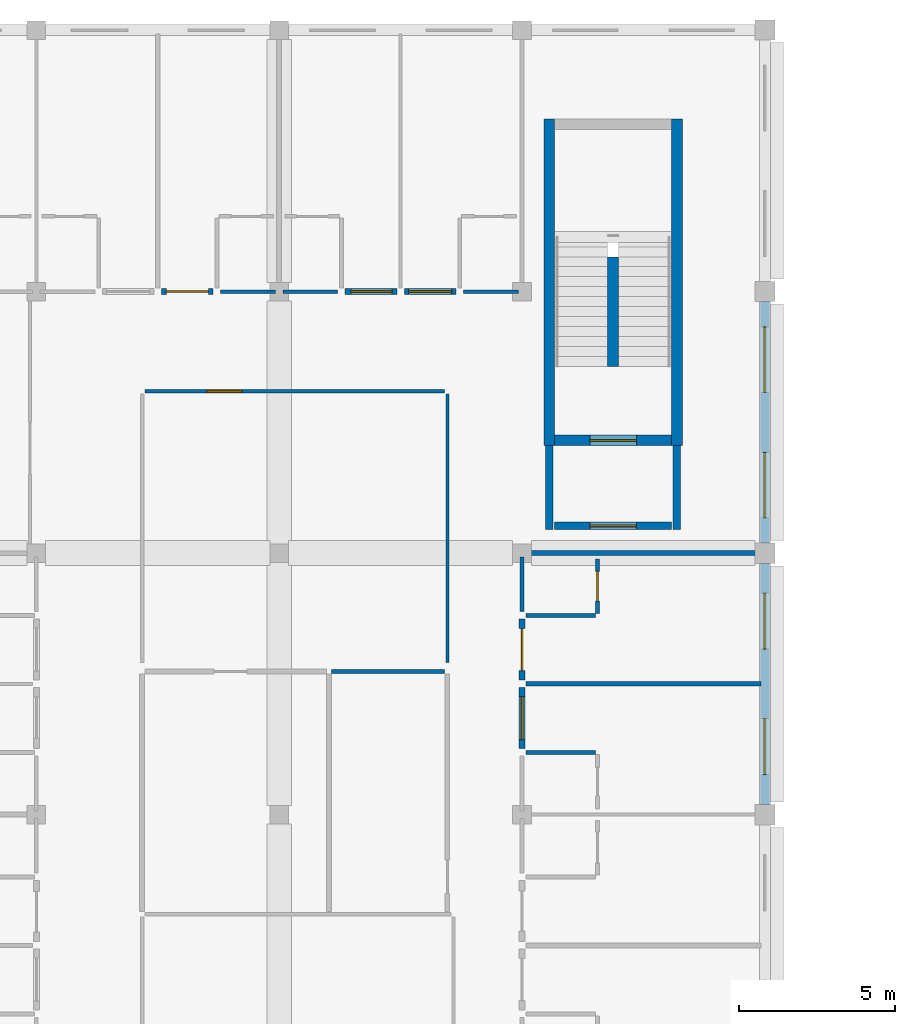
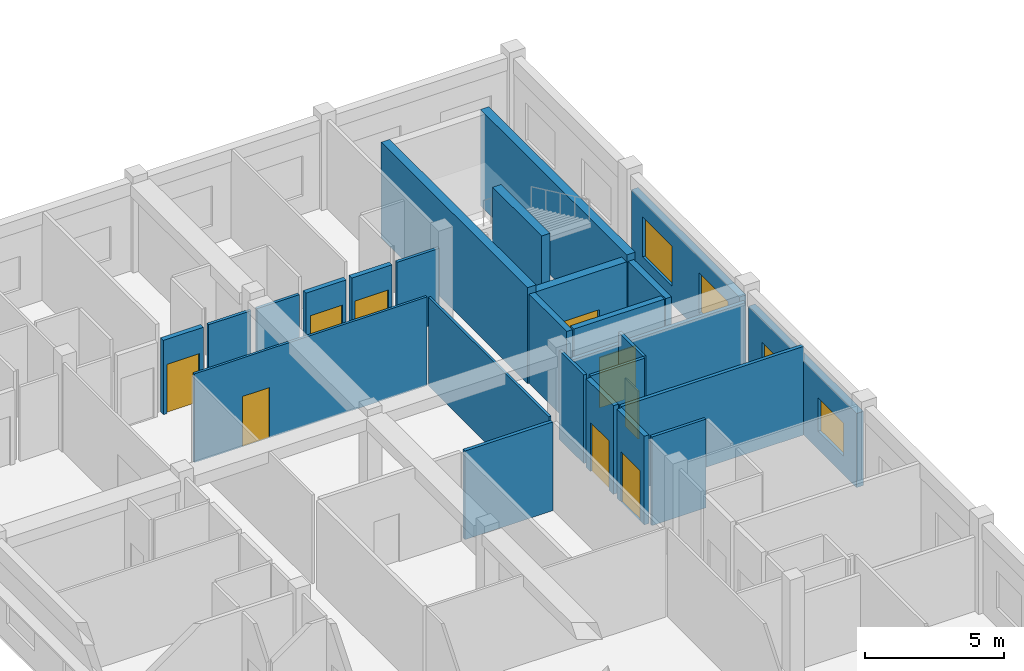
# One storey, part 17 of 32: 26 walls, 9 doors, 4 windows, 13 openings.
"""IFC4 building model written with IfcOpenShell, lengths in metres."""

import ifcopenshell
import ifcopenshell.guid

model = None  # the IFC model being written
_history = None  # IfcOwnerHistory: only IFC2X3 demands one
_inside = {}  # id of a spatial element -> (the spatial element, [elements in it])
_under = {}  # id of a project, library or spatial element -> (it, [spatial elements below it])
_declared = {}  # id of a project -> (the project, [libraries it declares])
_typed = {}  # id of a type object -> (the type object, [elements of that type])
_made_of = {}  # id of a material, layer set ... -> (it, [elements and type objects made of it])


def new_model(schema):
    """Start an empty IFC model of exactly this schema.

    Asked for "IFC4X3", IfcOpenShell would pick the latest addendum, in which some entities
    have other attributes; the version numbers below select the first issue.
    IFC2X3 requires an IfcOwnerHistory on every rooted entity: one is made here for all.
    """
    global model, _history
    if schema == "IFC4X3":
        model = ifcopenshell.file(schema_version=(4, 3, 0, 0))
    else:
        model = ifcopenshell.file(schema=schema)
    _inside.clear()
    _under.clear()
    _declared.clear()
    _typed.clear()
    _made_of.clear()
    _history = None
    if model.schema == "IFC2X3":
        org = make("IfcOrganization", Name="unknown")
        user = make(
            "IfcPersonAndOrganization",
            ThePerson=make("IfcPerson", FamilyName="unknown"),
            TheOrganization=org,
        )
        app = make(
            "IfcApplication",
            ApplicationDeveloper=org,
            Version="unknown",
            ApplicationFullName="unknown",
            ApplicationIdentifier="unknown",
        )
        _history = make(
            "IfcOwnerHistory",
            OwningUser=user,
            OwningApplication=app,
            ChangeAction="ADDED",
            CreationDate=0,
        )
    return model


def make(cls, **values):
    """One entity of the class cls with the attributes given. An attribute that is None is left unset."""
    return model.create_entity(
        cls, **{name: value for name, value in values.items() if value is not None}
    )


def rooted(cls, **values):
    """An entity with a GlobalId (a new one), such as an element, a storey or a relation."""
    return make(cls, GlobalId=ifcopenshell.guid.new(), OwnerHistory=_history, **values)


def si_unit(unit_type, name, prefix=None):
    """IfcSIUnit, for example si_unit("LENGTHUNIT", "METRE", prefix="MILLI")."""
    return make("IfcSIUnit", UnitType=unit_type, Prefix=prefix, Name=name)


def assignment(units):
    """IfcUnitAssignment: the units of a project."""
    return None if units is None else make("IfcUnitAssignment", Units=units)


def point(xyz):
    """IfcCartesianPoint."""
    return None if xyz is None else make("IfcCartesianPoint", Coordinates=xyz)


def direction(xyz):
    """IfcDirection."""
    return None if xyz is None else make("IfcDirection", DirectionRatios=xyz)


def frame(location, z_axis=None, x_axis=None):
    """IfcAxis2Placement3D, a coordinate frame: its origin and axes. An axis left out is left unset."""
    return make(
        "IfcAxis2Placement3D",
        Location=point(location),
        Axis=direction(z_axis),
        RefDirection=direction(x_axis),
    )


def frame_2d(location, x_axis=None):
    """IfcAxis2Placement2D, a coordinate frame in the plane: its origin and x axis."""
    return make(
        "IfcAxis2Placement2D", Location=point(location), RefDirection=direction(x_axis)
    )


def origin():
    """The frame at (0, 0, 0) with its axes left unset."""
    return frame((0.0, 0.0, 0.0))


def place(relative_to, where):
    """IfcLocalPlacement: puts the frame where relative to a parent placement (None: the world)."""
    return make(
        "IfcLocalPlacement", PlacementRelTo=relative_to, RelativePlacement=where
    )


def context(
    kind, dimensions, precision=None, world=None, true_north=None, identifier=None
):
    """IfcGeometricRepresentationContext, for example the 3D "Model" context."""
    return make(
        "IfcGeometricRepresentationContext",
        ContextIdentifier=identifier,
        ContextType=kind,
        CoordinateSpaceDimension=dimensions,
        Precision=precision,
        WorldCoordinateSystem=world,
        TrueNorth=true_north,
    )


def subcontext(parent, identifier, kind, view, scale=None):
    """IfcGeometricRepresentationSubContext, for example "Body" below "Model"."""
    return make(
        "IfcGeometricRepresentationSubContext",
        ContextIdentifier=identifier,
        ContextType=kind,
        ParentContext=parent,
        TargetScale=scale,
        TargetView=view,
    )


def project(units=None, contexts=None):
    """IfcProject with its units and contexts."""
    return rooted(
        "IfcProject",
        Name="project",
        RepresentationContexts=contexts,
        UnitsInContext=assignment(units),
    )


def spatial(cls, under=None, at=None, **own):
    """A site, building, storey or space (cls), placed at a placement, below another one or the project."""
    s = rooted(cls, ObjectPlacement=at, **own)
    if under is not None:
        _under.setdefault(under.id(), (under, []))[1].append(s)
    return s


def profile(cls, at=None, kind="AREA", **sizes):
    """A parametric profile (cls). Its sizes go by their IFC names, for example OverallWidth=200.0."""
    return make(cls, ProfileType=kind, Position=at, **sizes)


def rectangle(**sizes):
    """IfcRectangleProfileDef."""
    return profile("IfcRectangleProfileDef", **sizes)


def extrude(swept, where, along, depth):
    """IfcExtrudedAreaSolid: the profile swept, set in the frame where, extruded along a direction by depth."""
    return make(
        "IfcExtrudedAreaSolid",
        SweptArea=swept,
        Position=where,
        ExtrudedDirection=direction(along),
        Depth=depth,
    )


def shape(context_of_items, identifier, shape_type, items):
    """IfcShapeRepresentation: the items that make up one representation, for example the "Body"."""
    return make(
        "IfcShapeRepresentation",
        ContextOfItems=context_of_items,
        RepresentationIdentifier=identifier,
        RepresentationType=shape_type,
        Items=items,
    )


def material(Name=None, Category=None):
    """IfcMaterial."""
    return make("IfcMaterial", Name=Name, Category=Category)


def layer(
    of_material, thickness, ventilated=None, Name=None, Category=None, Priority=None
):
    """IfcMaterialLayer: one layer of a wall or slab, of a material (None: an air gap)."""
    return make(
        "IfcMaterialLayer",
        Material=of_material,
        LayerThickness=thickness,
        IsVentilated=ventilated,
        Name=Name,
        Category=Category,
        Priority=Priority,
    )


def layer_set(layers, Name=None):
    """IfcMaterialLayerSet."""
    return make("IfcMaterialLayerSet", MaterialLayers=layers, LayerSetName=Name)


def made_of(thing, what):
    """Note that an element or type object is made of a material, layer set ...; save() writes the relation."""
    if what is not None:
        _made_of.setdefault(what.id(), (what, []))[1].append(thing)
    return thing


def type_object(cls, material=None, **own):
    """A type object (cls), such as IfcWallType, which elements share."""
    return made_of(rooted(cls, **own), material)


def element(
    cls,
    number,
    at=None,
    inside=None,
    cuts=None,
    type_object=None,
    material=None,
    context=None,
    identifier="Body",
    shape_type=None,
    held_by="IfcProductDefinitionShape",
    body=None,
    shapes=None,
    **own,
):
    """One element of the class cls, such as IfcWall. Its Tag is "e" and its number.

    at: its placement. inside: the storey or other place that contains it. cuts: it is an
    opening in that element (IfcRelVoidsElement). A single representation is given by context,
    identifier, shape_type and body (its items); several are given by shapes. held_by: the class
    of the entity that holds the representations. save() writes the other relations.
    """
    e = rooted(cls, Tag="e%d" % number, ObjectPlacement=at, **own)
    if body is not None:
        shapes = [shape(context, identifier, shape_type, body)]
    if shapes is not None:
        e.Representation = make(held_by, Representations=shapes)
    if inside is not None:
        _inside.setdefault(inside.id(), (inside, []))[1].append(e)
    if cuts is not None:
        rooted(
            "IfcRelVoidsElement", RelatingBuildingElement=cuts, RelatedOpeningElement=e
        )
    if type_object is not None:
        _typed.setdefault(type_object.id(), (type_object, []))[1].append(e)
    return made_of(e, material)


def fill(opening, filler):
    """IfcRelFillsElement: the door or window that sits in an opening."""
    return rooted(
        "IfcRelFillsElement",
        RelatingOpeningElement=opening,
        RelatedBuildingElement=filler,
    )


def aggregate(whole, parts):
    """IfcRelAggregates: a whole, such as a stair, and the parts it consists of."""
    return rooted("IfcRelAggregates", RelatingObject=whole, RelatedObjects=parts)


def save(model, path):
    """Write the relations noted so far, then the file.

    IfcRelAggregates (storeys below a building ...), IfcRelContainedInSpatialStructure (elements
    in a storey), IfcRelDefinesByType, IfcRelAssociatesMaterial and IfcRelDeclares: one each for
    every whole, place, type object, material and project.
    """
    for whole, parts in _under.values():
        aggregate(whole, parts)
    for where, things in _inside.values():
        rooted(
            "IfcRelContainedInSpatialStructure",
            RelatedElements=things,
            RelatingStructure=where,
        )
    for kind, things in _typed.values():
        rooted("IfcRelDefinesByType", RelatedObjects=things, RelatingType=kind)
    for what, things in _made_of.values():
        rooted("IfcRelAssociatesMaterial", RelatedObjects=things, RelatingMaterial=what)
    for by, libraries in _declared.values():
        rooted("IfcRelDeclares", RelatingContext=by, RelatedDefinitions=libraries)
    model.write(path)


model = new_model("IFC4")

# Units and contexts
model_context = context("Model", 3, precision=1e-05, world=origin(), true_north=direction((0.0, 1.0)))
body_context = subcontext(model_context, "Body", "Model", "MODEL_VIEW")
ifc_project = project(units=[si_unit("LENGTHUNIT", "METRE"), si_unit("AREAUNIT", "SQUARE_METRE"), si_unit("VOLUMEUNIT", "CUBIC_METRE"), si_unit("PLANEANGLEUNIT", "RADIAN"), si_unit("MASSUNIT", "GRAM", prefix="KILO"), si_unit("THERMODYNAMICTEMPERATUREUNIT", "KELVIN"), si_unit("POWERUNIT", "WATT")], contexts=[model_context])

# Site, building, storey
site_placement = place(None, origin())
site = spatial("IfcSite", under=ifc_project, at=site_placement, CompositionType="ELEMENT")
building_placement = place(site_placement, origin())
building = spatial("IfcBuilding", under=site, at=building_placement, Name="Srebrne Nadtorze General Hospital", CompositionType="ELEMENT")
storey_placement = place(building_placement, frame((0.0, 0.0, 29.699951171875)))
storey = spatial("IfcBuildingStorey", under=building, at=storey_placement, Name="L07", CompositionType="ELEMENT", Elevation=29.699951171875)

# Walls
ifc_material_1 = material(Name="Gypsum Healthcare Partition")
ifc_layer_1 = layer(ifc_material_1, 0.139892578125)
ifc_layer_set_1 = layer_set([ifc_layer_1], Name="Gypsum Healthcare Partition")
wall_type_1 = type_object("IfcWallType", Name="Clinical partition 140", PredefinedType="PARTITIONING", material=ifc_layer_set_1)
wall_1_placement = place(storey_placement, frame((46.919921875, 71.39990234375, 0.0), z_axis=(0.0, 0.0, 1.0), x_axis=(1.0, 0.0, 0.0)))
element("IfcWall", 1, at=wall_1_placement, inside=storey, type_object=wall_type_1, Name="Ward inter-room partition WL-INT-L07-2320", PredefinedType="PARTITIONING", context=body_context, shape_type="SweptSolid", body=[
    extrude(rectangle(XDim=7.56005859375, YDim=0.139892578125, at=frame_2d((3.780029296875, 0.0))), origin(), (0.0, 0.0, 1.0), 3.880126953125),
])
wall_2_placement = place(storey_placement, frame((40.68505859375, 71.800048828125, 0.0), z_axis=(0.0, 0.0, 1.0), x_axis=(1.0, 0.0, 0.0)))
element("IfcWall", 2, at=wall_2_placement, inside=storey, type_object=wall_type_1, Name="Dirty Utility wall WL-INT-L07-2429", PredefinedType="PARTITIONING", context=body_context, shape_type="SweptSolid", body=[
    extrude(rectangle(XDim=3.6298828125, YDim=0.139892578125, at=frame_2d((1.81494140625, 0.0))), origin(), (0.0, 0.0, 1.0), 3.880126953125),
])
ifc_material_2 = material(Name="Gypsum Healthcare Partition")
ifc_layer_2 = layer(ifc_material_2, 0.159912109375)
ifc_layer_set_2 = layer_set([ifc_layer_2], Name="Gypsum Healthcare Partition")
wall_type_2 = type_object("IfcWallType", Name="Clinical partition 160", PredefinedType="PARTITIONING", material=ifc_layer_set_2)
wall_3_placement = place(storey_placement, frame((46.919921875, 75.60009765625, 0.0), z_axis=(0.0, 0.0, 1.0), x_axis=(1.0, 0.0, 0.0)))
element("IfcWall", 3, at=wall_3_placement, inside=storey, type_object=wall_type_2, Name="Ward inter-room partition WL-INT-L07-2325", PredefinedType="PARTITIONING", context=body_context, shape_type="SweptSolid", body=[
    extrude(rectangle(XDim=7.56005859375, YDim=0.159912109375, at=frame_2d((3.780029296875, 0.0))), origin(), (0.0, 0.0, 1.0), 3.25),
])

# Wall, opening, door
ifc_material_3 = material(Name="Gypsum Healthcare Partition")
ifc_layer_3 = layer(ifc_material_3, 0.199951171875)
ifc_layer_set_3 = layer_set([ifc_layer_3], Name="Gypsum Healthcare Partition")
wall_type_3 = type_object("IfcWallType", Name="Compartment wall 200", PredefinedType="STANDARD", material=ifc_layer_set_3)
wall_4_placement = place(storey_placement, frame((35.219970703125, 84.0, 0.0), z_axis=(0.0, 0.0, 1.0), x_axis=(1.0, 0.0, 0.0)))
wall_4 = element("IfcWall", 4, at=wall_4_placement, inside=storey, type_object=wall_type_3, Name="Ward corridor wall WL-INT-L07-2264", PredefinedType="STANDARD", context=body_context, shape_type="SweptSolid", body=[
    extrude(rectangle(XDim=1.659912109375, YDim=0.199951171875, at=frame_2d((0.830078125, 0.0))), origin(), (0.0, 0.0, 1.0), 3.25),
])
opening_1_placement = place(wall_4_placement, frame((0.155029296875, 0.0, 0.0)))
opening_1 = element("IfcOpeningElement", 5, at=opening_1_placement, cuts=wall_4, Name="Opening D-L07-0495", PredefinedType="OPENING", context=body_context, shape_type="SweptSolid", body=[
    extrude(rectangle(XDim=1.35009765625, YDim=2.14990234375, at=frame_2d((0.675048828125, 1.074951171875))), frame((0.0, 0.11181640625, 0.0), z_axis=(0.0, -1.0, 0.0), x_axis=(1.0, 0.0, 0.0)), (0.0, 0.0, 1.0), 0.223876953125),
])
ifc_material_4 = material(Name="Anodised Aluminium", Category="aluminium")
door_type_1 = type_object("IfcDoorType", Name="Single leaf door 1350x2150", OperationType="NOTDEFINED", PredefinedType="DOOR", material=ifc_material_4)
door_1_placement = place(opening_1_placement, origin())
door_1 = element("IfcDoor", 6, at=door_1_placement, inside=storey, type_object=door_type_1, Name="Ward patient room door D-L07-0495", OperationType="SINGLE_SWING_LEFT", OverallHeight=2.14990234375, OverallWidth=1.35009765625, PredefinedType="DOOR", context=body_context, shape_type="SweptSolid", body=[
    extrude(rectangle(XDim=1.35009765625, YDim=2.14990234375, at=frame_2d((0.675048828125, 1.074951171875))), frame((0.0, 0.02490234375, 0.0), z_axis=(0.0, -1.0, 0.0), x_axis=(1.0, 0.0, 0.0)), (0.0, 0.0, 1.0), 0.050048828125),
])
fill(opening_1, door_1)

wall_5_placement = place(storey_placement, frame((41.1201171875, 84.0, 0.0), z_axis=(0.0, 0.0, 1.0), x_axis=(1.0, 0.0, 0.0)))
wall_5 = element("IfcWall", 7, at=wall_5_placement, inside=storey, type_object=wall_type_3, Name="Ward corridor wall WL-INT-L07-2269", PredefinedType="STANDARD", context=body_context, shape_type="SweptSolid", body=[
    extrude(rectangle(XDim=1.659912109375, YDim=0.199951171875, at=frame_2d((0.830078125, 0.0))), origin(), (0.0, 0.0, 1.0), 3.25),
])
opening_2_placement = place(wall_5_placement, frame((0.18994140625, 0.0, 0.0)))
opening_2 = element("IfcOpeningElement", 8, at=opening_2_placement, cuts=wall_5, Name="Opening D-L07-0497", PredefinedType="OPENING", context=body_context, shape_type="SweptSolid", body=[
    extrude(rectangle(XDim=1.320068359375, YDim=2.199951171875, at=frame_2d((0.66015625, 1.10009765625))), frame((0.0, 0.11181640625, 0.0), z_axis=(0.0, -1.0, 0.0), x_axis=(1.0, 0.0, 0.0)), (0.0, 0.0, 1.0), 0.223876953125),
])
ifc_material_5 = material(Name="Anodised Aluminium", Category="aluminium")
door_type_2 = type_object("IfcDoorType", Name="Single leaf door 1320x2200", OperationType="NOTDEFINED", PredefinedType="DOOR", material=ifc_material_5)
door_2_placement = place(opening_2_placement, origin())
door_2 = element("IfcDoor", 9, at=door_2_placement, inside=storey, type_object=door_type_2, Name="Ward patient room door D-L07-0497", OperationType="SINGLE_SWING_RIGHT", OverallHeight=2.199951171875, OverallWidth=1.320068359375, PredefinedType="DOOR", context=body_context, shape_type="SweptSolid", body=[
    extrude(rectangle(XDim=1.320068359375, YDim=2.199951171875, at=frame_2d((0.66015625, 1.10009765625))), frame((0.0, 0.02490234375, 0.0), z_axis=(0.0, -1.0, 0.0), x_axis=(1.0, 0.0, 0.0)), (0.0, 0.0, 1.0), 0.050048828125),
])
fill(opening_2, door_2)

wall_6_placement = place(storey_placement, frame((43.02001953125, 84.0, 0.0), z_axis=(0.0, 0.0, 1.0), x_axis=(1.0, 0.0, 0.0)))
wall_6 = element("IfcWall", 10, at=wall_6_placement, inside=storey, type_object=wall_type_3, Name="Ward corridor wall WL-INT-L07-2274", PredefinedType="STANDARD", context=body_context, shape_type="SweptSolid", body=[
    extrude(rectangle(XDim=1.659912109375, YDim=0.199951171875, at=frame_2d((0.830078125, 0.0))), origin(), (0.0, 0.0, 1.0), 3.25),
])
opening_3_placement = place(wall_6_placement, frame((0.139892578125, 0.0, 0.0)))
opening_3 = element("IfcOpeningElement", 11, at=opening_3_placement, cuts=wall_6, Name="Opening D-L07-0499", PredefinedType="OPENING", context=body_context, shape_type="SweptSolid", body=[
    extrude(rectangle(XDim=1.3798828125, YDim=2.199951171875, at=frame_2d((0.68994140625, 1.10009765625))), frame((0.0, 0.11181640625, 0.0), z_axis=(0.0, -1.0, 0.0), x_axis=(1.0, 0.0, 0.0)), (0.0, 0.0, 1.0), 0.223876953125),
])
ifc_material_6 = material(Name="Anodised Aluminium", Category="aluminium")
door_type_3 = type_object("IfcDoorType", Name="Single leaf door 1380x2200", OperationType="NOTDEFINED", PredefinedType="DOOR", material=ifc_material_6)
door_3_placement = place(opening_3_placement, origin())
door_3 = element("IfcDoor", 12, at=door_3_placement, inside=storey, type_object=door_type_3, Name="Ward patient room door D-L07-0499", OperationType="SINGLE_SWING_LEFT", OverallHeight=2.199951171875, OverallWidth=1.3798828125, PredefinedType="DOOR", context=body_context, shape_type="SweptSolid", body=[
    extrude(rectangle(XDim=1.3798828125, YDim=2.199951171875, at=frame_2d((0.68994140625, 1.10009765625))), frame((0.0, 0.02490234375, 0.0), z_axis=(0.0, -1.0, 0.0), x_axis=(1.0, 0.0, 0.0)), (0.0, 0.0, 1.0), 0.050048828125),
])
fill(opening_3, door_3)

wall_7_placement = place(storey_placement, frame((46.800048828125, 69.320068359375, 0.0), z_axis=(0.0, 0.0, 1.0), x_axis=(0.0, 1.0, 0.0)))
wall_7 = element("IfcWall", 13, at=wall_7_placement, inside=storey, type_object=wall_type_3, Name="Ward corridor wall WL-INT-L07-2321", PredefinedType="STANDARD", context=body_context, shape_type="SweptSolid", body=[
    extrude(rectangle(XDim=1.9599609375, YDim=0.199951171875, at=frame_2d((0.97998046875, 0.0))), origin(), (0.0, 0.0, 1.0), 3.880126953125),
])
opening_4_placement = place(wall_7_placement, frame((0.2900390625, 0.0, 0.0)))
opening_4 = element("IfcOpeningElement", 14, at=opening_4_placement, cuts=wall_7, Name="Opening D-L07-0517", PredefinedType="OPENING", context=body_context, shape_type="SweptSolid", body=[
    extrude(rectangle(XDim=1.3798828125, YDim=2.199951171875, at=frame_2d((0.68994140625, 1.10009765625))), frame((0.0, 0.11181640625, 0.0), z_axis=(0.0, -1.0, 0.0), x_axis=(1.0, 0.0, 0.0)), (0.0, 0.0, 1.0), 0.223876953125),
])
door_4_placement = place(opening_4_placement, frame((1.3798828125, 0.0, 0.0), z_axis=(0.0, 0.0, 1.0), x_axis=(-1.0, 0.0, 0.0)))
door_4 = element("IfcDoor", 15, at=door_4_placement, inside=storey, type_object=door_type_3, Name="Ward patient room door D-L07-0517", OperationType="SINGLE_SWING_LEFT", OverallHeight=2.199951171875, OverallWidth=1.3798828125, PredefinedType="DOOR", context=body_context, shape_type="SweptSolid", body=[
    extrude(rectangle(XDim=1.3798828125, YDim=2.199951171875, at=frame_2d((0.68994140625, 1.10009765625))), frame((0.0, 0.02490234375, 0.0), z_axis=(0.0, -1.0, 0.0), x_axis=(1.0, 0.0, 0.0)), (0.0, 0.0, 1.0), 0.050048828125),
])
fill(opening_4, door_4)

wall_8_placement = place(storey_placement, frame((46.800048828125, 71.52001953125, 0.0), z_axis=(0.0, 0.0, 1.0), x_axis=(0.0, 1.0, 0.0)))
wall_8 = element("IfcWall", 16, at=wall_8_placement, inside=storey, type_object=wall_type_3, Name="Ward corridor wall WL-INT-L07-2326", PredefinedType="STANDARD", context=body_context, shape_type="SweptSolid", body=[
    extrude(rectangle(XDim=1.9599609375, YDim=0.199951171875, at=frame_2d((0.97998046875, 0.0))), origin(), (0.0, 0.0, 1.0), 3.880126953125),
])
opening_5_placement = place(wall_8_placement, frame((0.304931640625, 0.0, 0.0)))
opening_5 = element("IfcOpeningElement", 17, at=opening_5_placement, cuts=wall_8, Name="Opening D-L07-0519", PredefinedType="OPENING", context=body_context, shape_type="SweptSolid", body=[
    extrude(rectangle(XDim=1.35009765625, YDim=2.14990234375, at=frame_2d((0.675048828125, 1.074951171875))), frame((0.0, 0.11181640625, 0.0), z_axis=(0.0, -1.0, 0.0), x_axis=(1.0, 0.0, 0.0)), (0.0, 0.0, 1.0), 0.223876953125),
])
door_5_placement = place(opening_5_placement, frame((1.35009765625, 0.0, 0.0), z_axis=(0.0, 0.0, 1.0), x_axis=(-1.0, 0.0, 0.0)))
door_5 = element("IfcDoor", 18, at=door_5_placement, inside=storey, type_object=door_type_1, Name="Ward patient room door D-L07-0519", OperationType="SINGLE_SWING_LEFT", OverallHeight=2.14990234375, OverallWidth=1.35009765625, PredefinedType="DOOR", context=body_context, shape_type="SweptSolid", body=[
    extrude(rectangle(XDim=1.35009765625, YDim=2.14990234375, at=frame_2d((0.675048828125, 1.074951171875))), frame((0.0, 0.02490234375, 0.0), z_axis=(0.0, -1.0, 0.0), x_axis=(1.0, 0.0, 0.0)), (0.0, 0.0, 1.0), 0.050048828125),
])
fill(opening_5, door_5)

# Walls
ifc_material_7 = material(Name="Gypsum Healthcare Partition")
ifc_layer_4 = layer(ifc_material_7, 0.239990234375)
ifc_layer_set_4 = layer_set([ifc_layer_4], Name="Gypsum Healthcare Partition")
wall_type_4 = type_object("IfcWallType", Name="Corridor fire wall 240", PredefinedType="STANDARD", material=ifc_layer_set_4)
for number, where, z_axis, x_axis, name in (
    (19, (47.675048828125, 76.35498046875, 0.0), (0.0, 0.0, 1.0), (0.0, 1.0, 0.0), "Fire lobby wall ST-02 WL-INT-L07-0421"),
    (20, (51.77490234375, 76.35498046875, 0.0), (0.0, 0.0, 1.0), (0.0, 1.0, 0.0), "Fire lobby wall ST-02 WL-INT-L07-0422"),
):
    element("IfcWall", number, at=place(storey_placement, frame(where, z_axis=z_axis, x_axis=x_axis)), inside=storey, type_object=wall_type_4, Name=name, PredefinedType="STANDARD", context=body_context, shape_type="SweptSolid", body=[
        extrude(rectangle(XDim=2.695068359375, YDim=0.239990234375, at=frame_2d((1.34765625, 0.0))), origin(), (0.0, 0.0, 1.0), 3.900146484375),
    ])

# Wall, opening, door
wall_9_placement = place(storey_placement, frame((47.85009765625, 76.47509765625, 0.0), z_axis=(0.0, 0.0, 1.0), x_axis=(1.0, 0.0, 0.0)))
wall_9 = element("IfcWall", 21, at=wall_9_placement, inside=storey, type_object=wall_type_4, Name="Fire lobby entry wall ST-02 WL-INT-L07-0423", PredefinedType="STANDARD", context=body_context, shape_type="SweptSolid", body=[
    extrude(rectangle(XDim=3.75, YDim=0.239990234375, at=frame_2d((1.875, 0.0))), origin(), (0.0, 0.0, 1.0), 3.900146484375),
])
opening_6_placement = place(wall_9_placement, frame((1.125, 0.0, 0.0)))
opening_6 = element("IfcOpeningElement", 22, at=opening_6_placement, cuts=wall_9, Name="Opening D-L07-0106", PredefinedType="OPENING", context=body_context, shape_type="SweptSolid", body=[
    extrude(rectangle(XDim=1.5, YDim=2.199951171875, at=frame_2d((0.75, 1.10009765625))), frame((0.0, 0.1318359375, 0.0), z_axis=(0.0, -1.0, 0.0), x_axis=(1.0, 0.0, 0.0)), (0.0, 0.0, 1.0), 0.263916015625),
])
ifc_material_8 = material(Name="Anodised Aluminium", Category="aluminium")
door_type_4 = type_object("IfcDoorType", Name="Double leaf door 1500x2200", OperationType="DOUBLE_DOOR_SINGLE_SWING", PredefinedType="DOOR", material=ifc_material_8)
door_6_placement = place(opening_6_placement, origin())
door_6 = element("IfcDoor", 23, at=door_6_placement, inside=storey, type_object=door_type_4, Name="Fire lobby door ST-02 D-L07-0106", OperationType="DOUBLE_DOOR_SINGLE_SWING", OverallHeight=2.199951171875, OverallWidth=1.5, PredefinedType="DOOR", context=body_context, shape_type="SweptSolid", body=[
    extrude(rectangle(XDim=1.5, YDim=2.199951171875, at=frame_2d((0.75, 1.10009765625))), frame((0.0, 0.02490234375, 0.0), z_axis=(0.0, -1.0, 0.0), x_axis=(1.0, 0.0, 0.0)), (0.0, 0.0, 1.0), 0.050048828125),
])
fill(opening_6, door_6)

# Walls
ifc_material_9 = material(Name="Gypsum Healthcare Partition")
ifc_layer_5 = layer(ifc_material_9, 0.1201171875)
ifc_layer_set_5 = layer_set([ifc_layer_5], Name="Gypsum Healthcare Partition")
wall_type_5 = type_object("IfcWallType", Name="En-suite partition 120", PredefinedType="PARTITIONING", material=ifc_layer_set_5)
for number, where, z_axis, x_axis, name in (
    (24, (37.1201171875, 84.0, 0.0), (0.0, 0.0, 1.0), (1.0, 0.0, 0.0), "En-suite corridor wall WL-INT-L07-2265"),
    (25, (39.1201171875, 84.0, 0.0), (0.0, 0.0, 1.0), (1.0, 0.0, 0.0), "En-suite corridor wall WL-INT-L07-2270"),
):
    element("IfcWall", number, at=place(storey_placement, frame(where, z_axis=z_axis, x_axis=x_axis)), inside=storey, type_object=wall_type_5, Name=name, PredefinedType="PARTITIONING", context=body_context, shape_type="SweptSolid", body=[
        extrude(rectangle(XDim=1.759765625, YDim=0.1201171875, at=frame_2d((0.8798828125, 0.0))), origin(), (0.0, 0.0, 1.0), 3.25),
    ])
wall_10_placement = place(storey_placement, frame((44.919921875, 84.0, 0.0), z_axis=(0.0, 0.0, 1.0), x_axis=(1.0, 0.0, 0.0)))
element("IfcWall", 26, at=wall_10_placement, inside=storey, type_object=wall_type_5, Name="En-suite corridor wall WL-INT-L07-2275", PredefinedType="PARTITIONING", context=body_context, shape_type="SweptSolid", body=[
    extrude(rectangle(XDim=1.760009765625, YDim=0.1201171875, at=frame_2d((0.8798828125, 0.0))), origin(), (0.0, 0.0, 1.0), 3.25),
])
wall_11_placement = place(storey_placement, frame((46.919921875, 69.199951171875, 0.0), z_axis=(0.0, 0.0, 1.0), x_axis=(1.0, 0.0, 0.0)))
element("IfcWall", 27, at=wall_11_placement, inside=storey, type_object=wall_type_5, Name="En-suite wet wall WL-INT-L07-2323", PredefinedType="PARTITIONING", context=body_context, shape_type="SweptSolid", body=[
    extrude(rectangle(XDim=2.239990234375, YDim=0.1201171875, at=frame_2d((1.1201171875, 0.0))), origin(), (0.0, 0.0, 1.0), 3.880126953125),
])
wall_12_placement = place(storey_placement, frame((46.800048828125, 73.719970703125, 0.0), z_axis=(0.0, 0.0, 1.0), x_axis=(0.0, 1.0, 0.0)))
element("IfcWall", 28, at=wall_12_placement, inside=storey, type_object=wall_type_5, Name="En-suite corridor wall WL-INT-L07-2327", PredefinedType="PARTITIONING", context=body_context, shape_type="SweptSolid", body=[
    extrude(rectangle(XDim=1.760009765625, YDim=0.1201171875, at=frame_2d((0.8798828125, 0.0))), origin(), (0.0, 0.0, 1.0), 3.880126953125),
])
wall_13_placement = place(storey_placement, frame((46.919921875, 73.60009765625, 0.0), z_axis=(0.0, 0.0, 1.0), x_axis=(1.0, 0.0, 0.0)))
element("IfcWall", 29, at=wall_13_placement, inside=storey, type_object=wall_type_5, Name="En-suite wet wall WL-INT-L07-2328", PredefinedType="PARTITIONING", context=body_context, shape_type="SweptSolid", body=[
    extrude(rectangle(XDim=2.239990234375, YDim=0.1201171875, at=frame_2d((1.1201171875, 0.0))), origin(), (0.0, 0.0, 1.0), 3.880126953125),
])

# Wall, opening, door
wall_14_placement = place(storey_placement, frame((49.219970703125, 73.659912109375, 0.0), z_axis=(0.0, 0.0, 1.0), x_axis=(0.0, 1.0, 0.0)))
wall_14 = element("IfcWall", 30, at=wall_14_placement, inside=storey, type_object=wall_type_5, Name="En-suite wet wall WL-INT-L07-2329", PredefinedType="PARTITIONING", context=body_context, shape_type="SweptSolid", body=[
    extrude(rectangle(XDim=1.760009765625, YDim=0.1201171875, at=frame_2d((0.8798828125, 0.0))), origin(), (0.0, 0.0, 1.0), 3.880126953125),
])
opening_7_placement = place(wall_14_placement, frame((0.405029296875, 0.0, 0.0)))
opening_7 = element("IfcOpeningElement", 31, at=opening_7_placement, cuts=wall_14, Name="Opening D-L07-0520", PredefinedType="OPENING", context=body_context, shape_type="SweptSolid", body=[
    extrude(rectangle(XDim=0.949951171875, YDim=2.10009765625, at=frame_2d((0.47509765625, 1.050048828125))), frame((0.0, 0.072021484375, 0.0), z_axis=(0.0, -1.0, 0.0), x_axis=(1.0, 0.0, 0.0)), (0.0, 0.0, 1.0), 0.14404296875),
])
ifc_material_10 = material(Name="Anodised Aluminium", Category="aluminium")
door_type_5 = type_object("IfcDoorType", Name="Single leaf door 950x2100", OperationType="NOTDEFINED", PredefinedType="DOOR", material=ifc_material_10)
door_7_placement = place(opening_7_placement, origin())
door_7 = element("IfcDoor", 32, at=door_7_placement, inside=storey, type_object=door_type_5, Name="En-suite bathroom door D-L07-0520", OperationType="SINGLE_SWING_LEFT", OverallHeight=2.10009765625, OverallWidth=0.949951171875, PredefinedType="DOOR", context=body_context, shape_type="SweptSolid", body=[
    extrude(rectangle(XDim=0.949951171875, YDim=2.10009765625, at=frame_2d((0.47509765625, 1.050048828125))), frame((0.0, 0.02490234375, 0.0), z_axis=(0.0, -1.0, 0.0), x_axis=(1.0, 0.0, 0.0)), (0.0, 0.0, 1.0), 0.050048828125),
])
fill(opening_7, door_7)

ifc_material_11 = material(Name="Gypsum Healthcare Partition")
ifc_layer_6 = layer(ifc_material_11, 0.10009765625)
ifc_layer_set_6 = layer_set([ifc_layer_6], Name="Gypsum Healthcare Partition")
wall_type_6 = type_object("IfcWallType", Name="Shaft lining wall 100", PredefinedType="PARTITIONING", material=ifc_layer_set_6)
wall_15_placement = place(storey_placement, frame((34.68505859375, 80.800048828125, 0.0), z_axis=(0.0, 0.0, 1.0), x_axis=(1.0, 0.0, 0.0)))
wall_15 = element("IfcWall", 33, at=wall_15_placement, inside=storey, type_object=wall_type_6, Name="Paediatric Play and Family Room wall WL-INT-L07-2430", PredefinedType="PARTITIONING", context=body_context, shape_type="SweptSolid", body=[
    extrude(rectangle(XDim=9.6298828125, YDim=0.10009765625, at=frame_2d((4.81494140625, 0.0))), origin(), (0.0, 0.0, 1.0), 3.880126953125),
])
opening_8_placement = place(wall_15_placement, frame((1.9912109375, 0.0, 0.0)))
opening_8 = element("IfcOpeningElement", 34, at=opening_8_placement, cuts=wall_15, Name="Opening D-L07-0560", PredefinedType="OPENING", context=body_context, shape_type="SweptSolid", body=[
    extrude(rectangle(XDim=1.1201171875, YDim=2.199951171875, at=frame_2d((0.56005859375, 1.10009765625))), frame((0.0, 0.06201171875, 0.0), z_axis=(0.0, -1.0, 0.0), x_axis=(1.0, 0.0, 0.0)), (0.0, 0.0, 1.0), 0.1240234375),
])
ifc_material_12 = material(Name="Anodised Aluminium", Category="aluminium")
door_type_6 = type_object("IfcDoorType", Name="Single leaf door 1120x2200", OperationType="NOTDEFINED", PredefinedType="DOOR", material=ifc_material_12)
door_8_placement = place(opening_8_placement, frame((1.1201171875, 0.0, 0.0), z_axis=(0.0, 0.0, 1.0), x_axis=(-1.0, 0.0, 0.0)))
door_8 = element("IfcDoor", 35, at=door_8_placement, inside=storey, type_object=door_type_6, Name="Paediatric Play and Family Room door D-L07-0560", OperationType="SINGLE_SWING_RIGHT", OverallHeight=2.199951171875, OverallWidth=1.1201171875, PredefinedType="DOOR", context=body_context, shape_type="SweptSolid", body=[
    extrude(rectangle(XDim=1.1201171875, YDim=2.199951171875, at=frame_2d((0.56005859375, 1.10009765625))), frame((0.0, 0.02490234375, 0.0), z_axis=(0.0, -1.0, 0.0), x_axis=(1.0, 0.0, 0.0)), (0.0, 0.0, 1.0), 0.050048828125),
])
fill(opening_8, door_8)

# Walls
wall_16_placement = place(storey_placement, frame((44.39990234375, 72.0849609375, 0.0), z_axis=(0.0, 0.0, 1.0), x_axis=(0.0, 1.0, 0.0)))
element("IfcWall", 36, at=wall_16_placement, inside=storey, type_object=wall_type_6, Name="Paediatric Play and Family Room wall WL-INT-L07-2432", PredefinedType="PARTITIONING", context=body_context, shape_type="SweptSolid", body=[
    extrude(rectangle(XDim=8.630126953125, YDim=0.10009765625, at=frame_2d((4.31494140625, 0.0))), origin(), (0.0, 0.0, 1.0), 3.880126953125),
])
ifc_material_13 = material(Name="Concrete C40/50", Category="concrete")
ifc_layer_7 = layer(ifc_material_13, 0.35009765625)
ifc_layer_set_7 = layer_set([ifc_layer_7], Name="Concrete C40/50")
wall_type_7 = type_object("IfcWallType", Name="Shear core wall 350", PredefinedType="SHEAR", material=ifc_layer_set_7)
for number, where, z_axis, x_axis, name in (
    (37, (47.675048828125, 79.050048828125, 0.0), (0.0, 0.0, 1.0), (0.0, 1.0, 0.0), "Stair core wall ST-02 WL-INT-L07-0417"),
    (38, (51.77490234375, 79.050048828125, 0.0), (0.0, 0.0, 1.0), (0.0, 1.0, 0.0), "Stair core wall ST-02 WL-INT-L07-0418"),
):
    element("IfcWall", number, at=place(storey_placement, frame(where, z_axis=z_axis, x_axis=x_axis)), inside=storey, type_object=wall_type_7, Name=name, PredefinedType="SHEAR", context=body_context, shape_type="SweptSolid", body=[
        extrude(rectangle(XDim=10.5, YDim=0.35009765625, at=frame_2d((5.25, 0.0))), origin(), (0.0, 0.0, 1.0), 4.199951171875),
    ])

# Wall, opening, door
wall_17_placement = place(storey_placement, frame((47.85009765625, 79.22509765625, 0.0), z_axis=(0.0, 0.0, 1.0), x_axis=(1.0, 0.0, 0.0)))
wall_17 = element("IfcWall", 39, at=wall_17_placement, inside=storey, type_object=wall_type_7, Name="Stairwell fire wall ST-02 WL-INT-L07-0420", PredefinedType="SHEAR", context=body_context, shape_type="SweptSolid", body=[
    extrude(rectangle(XDim=3.75, YDim=0.35009765625, at=frame_2d((1.875, 0.0))), origin(), (0.0, 0.0, 1.0), 3.900146484375),
])
opening_9_placement = place(wall_17_placement, frame((1.125, 0.0, 0.0)))
opening_9 = element("IfcOpeningElement", 40, at=opening_9_placement, cuts=wall_17, Name="Opening D-L07-0105", PredefinedType="OPENING", context=body_context, shape_type="SweptSolid", body=[
    extrude(rectangle(XDim=1.5, YDim=2.199951171875, at=frame_2d((0.75, 1.10009765625))), frame((0.0, 0.18701171875, 0.0), z_axis=(0.0, -1.0, 0.0), x_axis=(1.0, 0.0, 0.0)), (0.0, 0.0, 1.0), 0.3740234375),
])
door_9_placement = place(opening_9_placement, origin())
door_9 = element("IfcDoor", 41, at=door_9_placement, inside=storey, type_object=door_type_4, Name="Protected stair door ST-02 D-L07-0105", OperationType="DOUBLE_DOOR_SINGLE_SWING", OverallHeight=2.199951171875, OverallWidth=1.5, PredefinedType="DOOR", context=body_context, shape_type="SweptSolid", body=[
    extrude(rectangle(XDim=1.5, YDim=2.199951171875, at=frame_2d((0.75, 1.10009765625))), frame((0.0, 0.02490234375, 0.0), z_axis=(0.0, -1.0, 0.0), x_axis=(1.0, 0.0, 0.0)), (0.0, 0.0, 1.0), 0.050048828125),
])
fill(opening_9, door_9)

# Wall
wall_18_placement = place(storey_placement, frame((49.72509765625, 81.60009765625, 0.0), z_axis=(0.0, 0.0, 1.0), x_axis=(0.0, 1.0, 0.0)))
element("IfcWall", 42, at=wall_18_placement, inside=storey, type_object=wall_type_7, Name="Stair spine wall ST-02 WL-INT-L07-0424", PredefinedType="SHEAR", context=body_context, shape_type="SweptSolid", body=[
    extrude(rectangle(XDim=3.52001953125, YDim=0.35009765625, at=frame_2d((1.760009765625, 0.0))), origin(), (0.0, 0.0, 1.0), 4.199951171875),
])

# Wall, openings, windows
ifc_material_14 = material(Name="Concrete C35/45 precast", Category="concrete")
ifc_layer_8 = layer(ifc_material_14, 0.280029296875)
ifc_layer_set_8 = layer_set([ifc_layer_8], Name="Concrete C35/45 precast")
wall_type_8 = type_object("IfcWallType", Name="Spandrel wall 280", PredefinedType="STANDARD", material=ifc_layer_set_8)
wall_19_placement = place(storey_placement, frame((54.60009765625, 67.52490234375, 0.0), z_axis=(0.0, 0.0, 1.0), x_axis=(0.0, 1.0, 0.0)))
wall_19 = element("IfcWall", 43, at=wall_19_placement, inside=storey, type_object=wall_type_8, Name="Exterior wall WL-ENV-L07-0537", PredefinedType="STANDARD", context=body_context, shape_type="SweptSolid", body=[
    extrude(rectangle(XDim=7.75, YDim=0.280029296875, at=frame_2d((3.875, 0.0))), origin(), (0.0, 0.0, 1.0), 3.25),
])
opening_10_placement = place(wall_19_placement, frame((0.958984375, 0.0, 0.800048828125)))
opening_10 = element("IfcOpeningElement", 44, at=opening_10_placement, cuts=wall_19, Name="Opening WN-L07-0902", PredefinedType="OPENING", context=body_context, shape_type="SweptSolid", body=[
    extrude(rectangle(XDim=1.800048828125, YDim=1.449951171875, at=frame_2d((0.89990234375, 0.72509765625))), frame((0.0, 0.15185546875, 0.0), z_axis=(0.0, -1.0, 0.0), x_axis=(1.0, 0.0, 0.0)), (0.0, 0.0, 1.0), 0.303955078125),
])
opening_11_placement = place(wall_19_placement, frame((4.990966796875, 0.0, 0.800048828125)))
opening_11 = element("IfcOpeningElement", 45, at=opening_11_placement, cuts=wall_19, Name="Opening WN-L07-0903", PredefinedType="OPENING", context=body_context, shape_type="SweptSolid", body=[
    extrude(rectangle(XDim=1.800048828125, YDim=1.449951171875, at=frame_2d((0.89990234375, 0.72509765625))), frame((0.0, 0.15185546875, 0.0), z_axis=(0.0, -1.0, 0.0), x_axis=(1.0, 0.0, 0.0)), (0.0, 0.0, 1.0), 0.303955078125),
])
ifc_material_15 = material(Name="Triple Low-E Glazing", Category="glass")
window_type_1 = type_object("IfcWindowType", Name="Punched clinical window 1800x1450", PartitioningType="DOUBLE_PANEL_VERTICAL", PredefinedType="WINDOW", material=ifc_material_15)
window_1_placement = place(opening_10_placement, origin())
window_1 = element("IfcWindow", 46, at=window_1_placement, inside=storey, type_object=window_type_1, Name="Clinical window WN-L07-0902", OverallHeight=1.449951171875, OverallWidth=1.800048828125, PartitioningType="DOUBLE_PANEL_VERTICAL", PredefinedType="WINDOW", context=body_context, shape_type="SweptSolid", body=[
    extrude(rectangle(XDim=1.800048828125, YDim=1.449951171875, at=frame_2d((0.89990234375, 0.72509765625))), frame((0.0, 0.030029296875, 0.0), z_axis=(0.0, -1.0, 0.0), x_axis=(1.0, 0.0, 0.0)), (0.0, 0.0, 1.0), 0.06005859375),
])
fill(opening_10, window_1)
window_2_placement = place(opening_11_placement, origin())
window_2 = element("IfcWindow", 47, at=window_2_placement, inside=storey, type_object=window_type_1, Name="Clinical window WN-L07-0903", OverallHeight=1.449951171875, OverallWidth=1.800048828125, PartitioningType="DOUBLE_PANEL_VERTICAL", PredefinedType="WINDOW", context=body_context, shape_type="SweptSolid", body=[
    extrude(rectangle(XDim=1.800048828125, YDim=1.449951171875, at=frame_2d((0.89990234375, 0.72509765625))), frame((0.0, 0.030029296875, 0.0), z_axis=(0.0, -1.0, 0.0), x_axis=(1.0, 0.0, 0.0)), (0.0, 0.0, 1.0), 0.06005859375),
])
fill(opening_11, window_2)

wall_20_placement = place(storey_placement, frame((54.60009765625, 75.925048828125, 0.0), z_axis=(0.0, 0.0, 1.0), x_axis=(0.0, 1.0, 0.0)))
wall_20 = element("IfcWall", 48, at=wall_20_placement, inside=storey, type_object=wall_type_8, Name="Exterior wall WL-ENV-L07-0538", PredefinedType="STANDARD", context=body_context, shape_type="SweptSolid", body=[
    extrude(rectangle(XDim=7.75, YDim=0.280029296875, at=frame_2d((3.875, 0.0))), origin(), (0.0, 0.0, 1.0), 3.25),
])
opening_12_placement = place(wall_20_placement, frame((0.80908203125, 0.0, 0.800048828125)))
opening_12 = element("IfcOpeningElement", 49, at=opening_12_placement, cuts=wall_20, Name="Opening WN-L07-0904", PredefinedType="OPENING", context=body_context, shape_type="SweptSolid", body=[
    extrude(rectangle(XDim=2.10009765625, YDim=1.75, at=frame_2d((1.050048828125, 0.875))), frame((0.0, 0.15185546875, 0.0), z_axis=(0.0, -1.0, 0.0), x_axis=(1.0, 0.0, 0.0)), (0.0, 0.0, 1.0), 0.303955078125),
])
opening_13_placement = place(wall_20_placement, frame((4.841064453125, 0.0, 0.800048828125)))
opening_13 = element("IfcOpeningElement", 50, at=opening_13_placement, cuts=wall_20, Name="Opening WN-L07-0905", PredefinedType="OPENING", context=body_context, shape_type="SweptSolid", body=[
    extrude(rectangle(XDim=2.10009765625, YDim=1.75, at=frame_2d((1.050048828125, 0.875))), frame((0.0, 0.15185546875, 0.0), z_axis=(0.0, -1.0, 0.0), x_axis=(1.0, 0.0, 0.0)), (0.0, 0.0, 1.0), 0.303955078125),
])
ifc_material_16 = material(Name="Triple Low-E Glazing", Category="glass")
window_type_2 = type_object("IfcWindowType", Name="Punched clinical window 2100x1750", PartitioningType="DOUBLE_PANEL_VERTICAL", PredefinedType="WINDOW", material=ifc_material_16)
window_3_placement = place(opening_12_placement, origin())
window_3 = element("IfcWindow", 51, at=window_3_placement, inside=storey, type_object=window_type_2, Name="Clinical window WN-L07-0904", OverallHeight=1.75, OverallWidth=2.10009765625, PartitioningType="DOUBLE_PANEL_VERTICAL", PredefinedType="WINDOW", context=body_context, shape_type="SweptSolid", body=[
    extrude(rectangle(XDim=2.10009765625, YDim=1.75, at=frame_2d((1.050048828125, 0.875))), frame((0.0, 0.030029296875, 0.0), z_axis=(0.0, -1.0, 0.0), x_axis=(1.0, 0.0, 0.0)), (0.0, 0.0, 1.0), 0.06005859375),
])
fill(opening_12, window_3)
window_4_placement = place(opening_13_placement, origin())
window_4 = element("IfcWindow", 52, at=window_4_placement, inside=storey, type_object=window_type_2, Name="Clinical window WN-L07-0905", OverallHeight=1.75, OverallWidth=2.10009765625, PartitioningType="DOUBLE_PANEL_VERTICAL", PredefinedType="WINDOW", context=body_context, shape_type="SweptSolid", body=[
    extrude(rectangle(XDim=2.10009765625, YDim=1.75, at=frame_2d((1.050048828125, 0.875))), frame((0.0, 0.030029296875, 0.0), z_axis=(0.0, -1.0, 0.0), x_axis=(1.0, 0.0, 0.0)), (0.0, 0.0, 1.0), 0.06005859375),
])
fill(opening_13, window_4)

save(model, "model.ifc")
